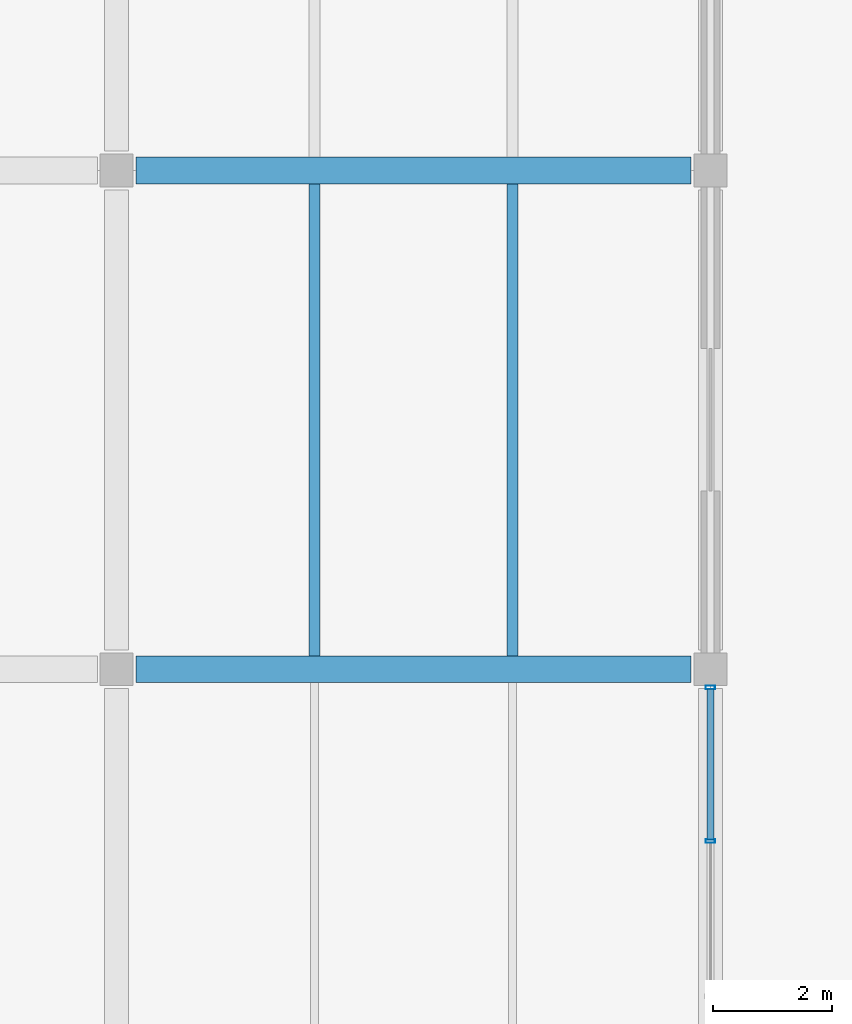
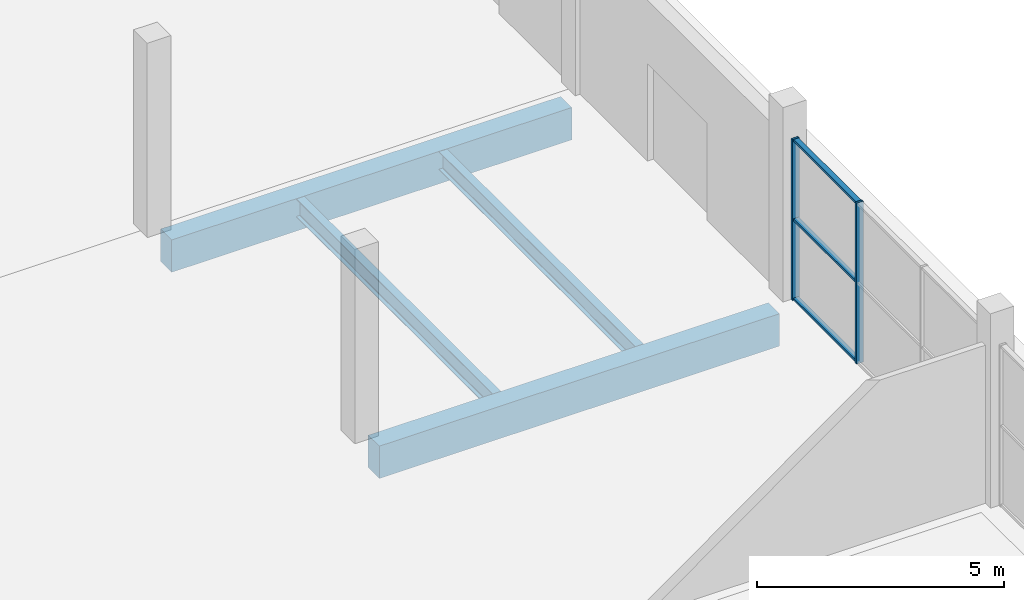
# One storey, part 71 of 130: 5 members, 4 beams, 1 element without a shape of its own.
"""IFC4 building model written with IfcOpenShell, lengths in metres."""

import ifcopenshell
import ifcopenshell.guid

model = None  # the IFC model being written
_history = None  # IfcOwnerHistory: only IFC2X3 demands one
_inside = {}  # id of a spatial element -> (the spatial element, [elements in it])
_under = {}  # id of a project, library or spatial element -> (it, [spatial elements below it])
_declared = {}  # id of a project -> (the project, [libraries it declares])
_typed = {}  # id of a type object -> (the type object, [elements of that type])
_made_of = {}  # id of a material, layer set ... -> (it, [elements and type objects made of it])


def new_model(schema):
    """Start an empty IFC model of exactly this schema.

    Asked for "IFC4X3", IfcOpenShell would pick the latest addendum, in which some entities
    have other attributes; the version numbers below select the first issue.
    IFC2X3 requires an IfcOwnerHistory on every rooted entity: one is made here for all.
    """
    global model, _history
    if schema == "IFC4X3":
        model = ifcopenshell.file(schema_version=(4, 3, 0, 0))
    else:
        model = ifcopenshell.file(schema=schema)
    _inside.clear()
    _under.clear()
    _declared.clear()
    _typed.clear()
    _made_of.clear()
    _history = None
    if model.schema == "IFC2X3":
        org = make("IfcOrganization", Name="unknown")
        user = make(
            "IfcPersonAndOrganization",
            ThePerson=make("IfcPerson", FamilyName="unknown"),
            TheOrganization=org,
        )
        app = make(
            "IfcApplication",
            ApplicationDeveloper=org,
            Version="unknown",
            ApplicationFullName="unknown",
            ApplicationIdentifier="unknown",
        )
        _history = make(
            "IfcOwnerHistory",
            OwningUser=user,
            OwningApplication=app,
            ChangeAction="ADDED",
            CreationDate=0,
        )
    return model


def make(cls, **values):
    """One entity of the class cls with the attributes given. An attribute that is None is left unset."""
    return model.create_entity(
        cls, **{name: value for name, value in values.items() if value is not None}
    )


def rooted(cls, **values):
    """An entity with a GlobalId (a new one), such as an element, a storey or a relation."""
    return make(cls, GlobalId=ifcopenshell.guid.new(), OwnerHistory=_history, **values)


def si_unit(unit_type, name, prefix=None):
    """IfcSIUnit, for example si_unit("LENGTHUNIT", "METRE", prefix="MILLI")."""
    return make("IfcSIUnit", UnitType=unit_type, Prefix=prefix, Name=name)


def assignment(units):
    """IfcUnitAssignment: the units of a project."""
    return None if units is None else make("IfcUnitAssignment", Units=units)


def point(xyz):
    """IfcCartesianPoint."""
    return None if xyz is None else make("IfcCartesianPoint", Coordinates=xyz)


def direction(xyz):
    """IfcDirection."""
    return None if xyz is None else make("IfcDirection", DirectionRatios=xyz)


def frame(location, z_axis=None, x_axis=None):
    """IfcAxis2Placement3D, a coordinate frame: its origin and axes. An axis left out is left unset."""
    return make(
        "IfcAxis2Placement3D",
        Location=point(location),
        Axis=direction(z_axis),
        RefDirection=direction(x_axis),
    )


def frame_2d(location, x_axis=None):
    """IfcAxis2Placement2D, a coordinate frame in the plane: its origin and x axis."""
    return make(
        "IfcAxis2Placement2D", Location=point(location), RefDirection=direction(x_axis)
    )


def origin():
    """The frame at (0, 0, 0) with its axes left unset."""
    return frame((0.0, 0.0, 0.0))


def origin_2d():
    """The frame at (0, 0) in the plane with its x axis left unset."""
    return frame_2d((0.0, 0.0))


def place(relative_to, where):
    """IfcLocalPlacement: puts the frame where relative to a parent placement (None: the world)."""
    return make(
        "IfcLocalPlacement", PlacementRelTo=relative_to, RelativePlacement=where
    )


def context(
    kind, dimensions, precision=None, world=None, true_north=None, identifier=None
):
    """IfcGeometricRepresentationContext, for example the 3D "Model" context."""
    return make(
        "IfcGeometricRepresentationContext",
        ContextIdentifier=identifier,
        ContextType=kind,
        CoordinateSpaceDimension=dimensions,
        Precision=precision,
        WorldCoordinateSystem=world,
        TrueNorth=true_north,
    )


def subcontext(parent, identifier, kind, view, scale=None):
    """IfcGeometricRepresentationSubContext, for example "Body" below "Model"."""
    return make(
        "IfcGeometricRepresentationSubContext",
        ContextIdentifier=identifier,
        ContextType=kind,
        ParentContext=parent,
        TargetScale=scale,
        TargetView=view,
    )


def project(units=None, contexts=None):
    """IfcProject with its units and contexts."""
    return rooted(
        "IfcProject",
        Name="project",
        RepresentationContexts=contexts,
        UnitsInContext=assignment(units),
    )


def spatial(cls, under=None, at=None, **own):
    """A site, building, storey or space (cls), placed at a placement, below another one or the project."""
    s = rooted(cls, ObjectPlacement=at, **own)
    if under is not None:
        _under.setdefault(under.id(), (under, []))[1].append(s)
    return s


def profile(cls, at=None, kind="AREA", **sizes):
    """A parametric profile (cls). Its sizes go by their IFC names, for example OverallWidth=200.0."""
    return make(cls, ProfileType=kind, Position=at, **sizes)


def rectangle(**sizes):
    """IfcRectangleProfileDef."""
    return profile("IfcRectangleProfileDef", **sizes)


def hollow_rectangle(**sizes):
    """IfcRectangleHollowProfileDef."""
    return profile("IfcRectangleHollowProfileDef", **sizes)


def i_section(**sizes):
    """IfcIShapeProfileDef."""
    return profile("IfcIShapeProfileDef", **sizes)


def extrude(swept, where, along, depth):
    """IfcExtrudedAreaSolid: the profile swept, set in the frame where, extruded along a direction by depth."""
    return make(
        "IfcExtrudedAreaSolid",
        SweptArea=swept,
        Position=where,
        ExtrudedDirection=direction(along),
        Depth=depth,
    )


def shape(context_of_items, identifier, shape_type, items):
    """IfcShapeRepresentation: the items that make up one representation, for example the "Body"."""
    return make(
        "IfcShapeRepresentation",
        ContextOfItems=context_of_items,
        RepresentationIdentifier=identifier,
        RepresentationType=shape_type,
        Items=items,
    )


def material(Name=None, Category=None):
    """IfcMaterial."""
    return make("IfcMaterial", Name=Name, Category=Category)


def material_profile(
    of_material, cross_section, Name=None, Category=None, Priority=None
):
    """IfcMaterialProfile: a cross section and its material."""
    return make(
        "IfcMaterialProfile",
        Name=Name,
        Material=of_material,
        Profile=cross_section,
        Priority=Priority,
        Category=Category,
    )


def profile_set(profiles, Name=None, composite=None):
    """IfcMaterialProfileSet."""
    return make(
        "IfcMaterialProfileSet",
        Name=Name,
        MaterialProfiles=profiles,
        CompositeProfile=composite,
    )


def made_of(thing, what):
    """Note that an element or type object is made of a material, layer set ...; save() writes the relation."""
    if what is not None:
        _made_of.setdefault(what.id(), (what, []))[1].append(thing)
    return thing


def type_object(cls, material=None, **own):
    """A type object (cls), such as IfcWallType, which elements share."""
    return made_of(rooted(cls, **own), material)


def element(
    cls,
    number,
    at=None,
    inside=None,
    cuts=None,
    type_object=None,
    material=None,
    context=None,
    identifier="Body",
    shape_type=None,
    held_by="IfcProductDefinitionShape",
    body=None,
    shapes=None,
    **own,
):
    """One element of the class cls, such as IfcWall. Its Tag is "e" and its number.

    at: its placement. inside: the storey or other place that contains it. cuts: it is an
    opening in that element (IfcRelVoidsElement). A single representation is given by context,
    identifier, shape_type and body (its items); several are given by shapes. held_by: the class
    of the entity that holds the representations. save() writes the other relations.
    """
    e = rooted(cls, Tag="e%d" % number, ObjectPlacement=at, **own)
    if body is not None:
        shapes = [shape(context, identifier, shape_type, body)]
    if shapes is not None:
        e.Representation = make(held_by, Representations=shapes)
    if inside is not None:
        _inside.setdefault(inside.id(), (inside, []))[1].append(e)
    if cuts is not None:
        rooted(
            "IfcRelVoidsElement", RelatingBuildingElement=cuts, RelatedOpeningElement=e
        )
    if type_object is not None:
        _typed.setdefault(type_object.id(), (type_object, []))[1].append(e)
    return made_of(e, material)


def aggregate(whole, parts):
    """IfcRelAggregates: a whole, such as a stair, and the parts it consists of."""
    return rooted("IfcRelAggregates", RelatingObject=whole, RelatedObjects=parts)


def save(model, path):
    """Write the relations noted so far, then the file.

    IfcRelAggregates (storeys below a building ...), IfcRelContainedInSpatialStructure (elements
    in a storey), IfcRelDefinesByType, IfcRelAssociatesMaterial and IfcRelDeclares: one each for
    every whole, place, type object, material and project.
    """
    for whole, parts in _under.values():
        aggregate(whole, parts)
    for where, things in _inside.values():
        rooted(
            "IfcRelContainedInSpatialStructure",
            RelatedElements=things,
            RelatingStructure=where,
        )
    for kind, things in _typed.values():
        rooted("IfcRelDefinesByType", RelatedObjects=things, RelatingType=kind)
    for what, things in _made_of.values():
        rooted("IfcRelAssociatesMaterial", RelatedObjects=things, RelatingMaterial=what)
    for by, libraries in _declared.values():
        rooted("IfcRelDeclares", RelatingContext=by, RelatedDefinitions=libraries)
    model.write(path)


model = new_model("IFC4")

# Units and contexts
model_context = context("Model", 3, precision=1e-05, world=origin(), true_north=direction((0.0, 1.0)))
body_context = subcontext(model_context, "Body", "Model", "MODEL_VIEW")
ifc_project = project(units=[si_unit("LENGTHUNIT", "METRE"), si_unit("AREAUNIT", "SQUARE_METRE"), si_unit("VOLUMEUNIT", "CUBIC_METRE"), si_unit("PLANEANGLEUNIT", "RADIAN"), si_unit("MASSUNIT", "GRAM", prefix="KILO"), si_unit("THERMODYNAMICTEMPERATUREUNIT", "KELVIN")], contexts=[model_context])

# Site, building, storey
site_placement = place(None, origin())
site = spatial("IfcSite", under=ifc_project, at=site_placement, CompositionType="ELEMENT")
building_placement = place(site_placement, origin())
building = spatial("IfcBuilding", under=site, at=building_placement, Name="Nduvali Passage Aquatics Centre", CompositionType="ELEMENT")
storey_placement = place(building_placement, origin())
storey = spatial("IfcBuildingStorey", under=building, at=storey_placement, Name="L00", CompositionType="ELEMENT", Elevation=0.0)

# Curtain wall, members
ifc_material_1 = material(Name="Aluminium EN AW-6063 T6", Category="aluminium")
curtain_wall_type = type_object("IfcCurtainWallType", Name="ENV-CW-FOYR", PredefinedType="NOTDEFINED", material=ifc_material_1)
curtain_wall_placement = place(storey_placement, origin())
curtain_wall = element("IfcCurtainWall", 1, at=curtain_wall_placement, inside=storey, type_object=curtain_wall_type, Name="L00 East Avenue Entrance Ground CW 083", PredefinedType="NOTDEFINED")
ifc_material_profile_1 = material_profile(ifc_material_1, hollow_rectangle(XDim=0.06005859375, YDim=0.159912109375, WallThickness=0.00390625, at=origin_2d()), Name="ALU MULLION 60x160x4")
ifc_profile_set_1 = profile_set([ifc_material_profile_1], Name="Aluminium EN AW-6063 T6")
member_type_1 = type_object("IfcMemberType", Name="ENV-MEM-MUL60", PredefinedType="MULLION", material=ifc_profile_set_1)
member_1_placement = place(storey_placement, frame((168.0, 47.50830078125, 0.0), z_axis=(0.0, 0.0, 1.0), x_axis=(0.0, 1.0, 0.0)))
member_1 = element("IfcMember", 2, at=member_1_placement, type_object=member_type_1, Name="East Avenue Entrance Ground CW Mullion 3", PredefinedType="MULLION", context=body_context, shape_type="SweptSolid", body=[
    extrude(hollow_rectangle(XDim=0.06005859375, YDim=0.159912109375, WallThickness=0.00390625, at=origin_2d()), origin(), (0.0, 0.0, 1.0), 3.976318359375),
])
member_2_placement = place(storey_placement, frame((168.0, 50.094970703125, 0.0), z_axis=(0.0, 0.0, 1.0), x_axis=(0.0, 1.0, 0.0)))
member_2 = element("IfcMember", 3, at=member_2_placement, type_object=member_type_1, Name="East Avenue Entrance Ground CW Mullion 4", PredefinedType="MULLION", context=body_context, shape_type="SweptSolid", body=[
    extrude(hollow_rectangle(XDim=0.06005859375, YDim=0.159912109375, WallThickness=0.00390625, at=origin_2d()), origin(), (0.0, 0.0, 1.0), 3.976318359375),
])
ifc_material_profile_2 = material_profile(ifc_material_1, hollow_rectangle(XDim=0.1201171875, YDim=0.06005859375, WallThickness=0.00390625, at=origin_2d()), Name="ALU TRANSOM 120x60x4")
ifc_profile_set_2 = profile_set([ifc_material_profile_2], Name="Aluminium EN AW-6063 T6")
member_type_2 = type_object("IfcMemberType", Name="ENV-MEM-TRN60", PredefinedType="USERDEFINED", material=ifc_profile_set_2)
member_3_placement = place(storey_placement, frame((168.0, 47.538330078125, 0.030029296875), z_axis=(0.0, 1.0, 0.0), x_axis=(-1.0, 0.0, 0.0)))
member_3 = element("IfcMember", 4, at=member_3_placement, type_object=member_type_2, Name="East Avenue Entrance Ground CW Transom B3-R0", ObjectType="TRANSOM", PredefinedType="USERDEFINED", context=body_context, shape_type="SweptSolid", body=[
    extrude(hollow_rectangle(XDim=0.1201171875, YDim=0.06005859375, WallThickness=0.00390625, at=origin_2d()), origin(), (0.0, 0.0, 1.0), 2.526611328125),
])
member_4_placement = place(storey_placement, frame((168.0, 47.538330078125, 1.98828125), z_axis=(0.0, 1.0, 0.0), x_axis=(-1.0, 0.0, 0.0)))
member_4 = element("IfcMember", 5, at=member_4_placement, type_object=member_type_2, Name="East Avenue Entrance Ground CW Transom B3-R1", ObjectType="TRANSOM", PredefinedType="USERDEFINED", context=body_context, shape_type="SweptSolid", body=[
    extrude(hollow_rectangle(XDim=0.1201171875, YDim=0.06005859375, WallThickness=0.00390625, at=origin_2d()), origin(), (0.0, 0.0, 1.0), 2.526611328125),
])
member_5_placement = place(storey_placement, frame((168.0, 47.538330078125, 3.9462890625), z_axis=(0.0, 1.0, 0.0), x_axis=(-1.0, 0.0, 0.0)))
member_5 = element("IfcMember", 6, at=member_5_placement, type_object=member_type_2, Name="East Avenue Entrance Ground CW Transom B3-R2", ObjectType="TRANSOM", PredefinedType="USERDEFINED", context=body_context, shape_type="SweptSolid", body=[
    extrude(hollow_rectangle(XDim=0.1201171875, YDim=0.06005859375, WallThickness=0.00390625, at=origin_2d()), origin(), (0.0, 0.0, 1.0), 2.526611328125),
])
aggregate(curtain_wall, [member_1, member_2, member_3, member_4, member_5])

# Beams
ifc_material_2 = material(Name="Concrete C40/50", Category="concrete")
ifc_material_profile_3 = material_profile(ifc_material_2, rectangle(XDim=0.449951171875, YDim=0.800048828125, at=origin_2d()), Name="RC 450x800")
ifc_profile_set_3 = profile_set([ifc_material_profile_3], Name="Concrete C40/50")
beam_type_1 = type_object("IfcBeamType", Name="STR-BM-RC4580", PredefinedType="BEAM", material=ifc_profile_set_3)
for number, where, z_axis, x_axis, name in (
    (7, (158.324951171875, 50.39990234375, -0.699951171875), (1.0, 0.0, 0.0), (0.0, 1.0, 0.0), "L00 Primary X-Girder B2A-0053"),
    (8, (158.324951171875, 58.800048828125, -0.699951171875), (1.0, 0.0, 0.0), (0.0, 1.0, 0.0), "L00 Primary X-Girder B2A-0056"),
):
    element("IfcBeam", number, at=place(storey_placement, frame(where, z_axis=z_axis, x_axis=x_axis)), inside=storey, type_object=beam_type_1, Name=name, PredefinedType="BEAM", context=body_context, shape_type="SweptSolid", body=[
        extrude(rectangle(XDim=0.449951171875, YDim=0.800048828125, at=origin_2d()), origin(), (0.0, 0.0, 1.0), 9.35009765625),
    ])
ifc_material_3 = material(Name="Steel S355", Category="steel")
ifc_material_profile_4 = material_profile(ifc_material_3, i_section(OverallWidth=0.18994140625, OverallDepth=0.449951171875, WebThickness=0.009521484375, FlangeThickness=0.0146484375, FilletRadius=0.02099609375, at=origin_2d()), Name="IPE 450")
ifc_profile_set_4 = profile_set([ifc_material_profile_4], Name="Steel S355")
beam_type_2 = type_object("IfcBeamType", Name="STR-JST-IPE450", PredefinedType="JOIST", material=ifc_profile_set_4)
for number, where, z_axis, x_axis, name in (
    (9, (161.333251953125, 50.625, -0.529052734375), (0.0, 1.0, 0.0), (-1.0, 0.0, 0.0), "L00 Secondary Joist J5B-0345"),
    (10, (164.666748046875, 50.625, -0.529052734375), (0.0, 1.0, 0.0), (-1.0, 0.0, 0.0), "L00 Secondary Joist J5B-0346"),
):
    element("IfcBeam", number, at=place(storey_placement, frame(where, z_axis=z_axis, x_axis=x_axis)), inside=storey, type_object=beam_type_2, Name=name, PredefinedType="JOIST", context=body_context, shape_type="SweptSolid", body=[
        extrude(i_section(OverallWidth=0.18994140625, OverallDepth=0.449951171875, WebThickness=0.009521484375, FlangeThickness=0.0146484375, FilletRadius=0.02099609375, at=origin_2d()), origin(), (0.0, 0.0, 1.0), 7.949951171875),
    ])

save(model, "model.ifc")
